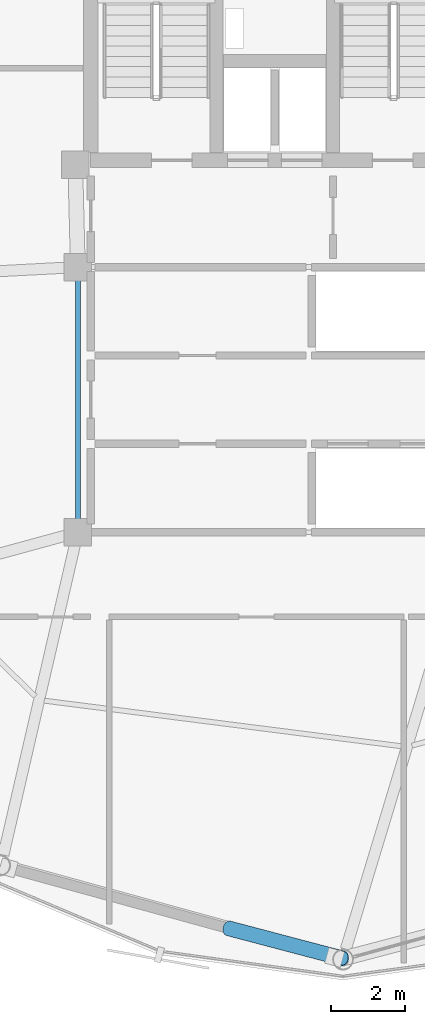
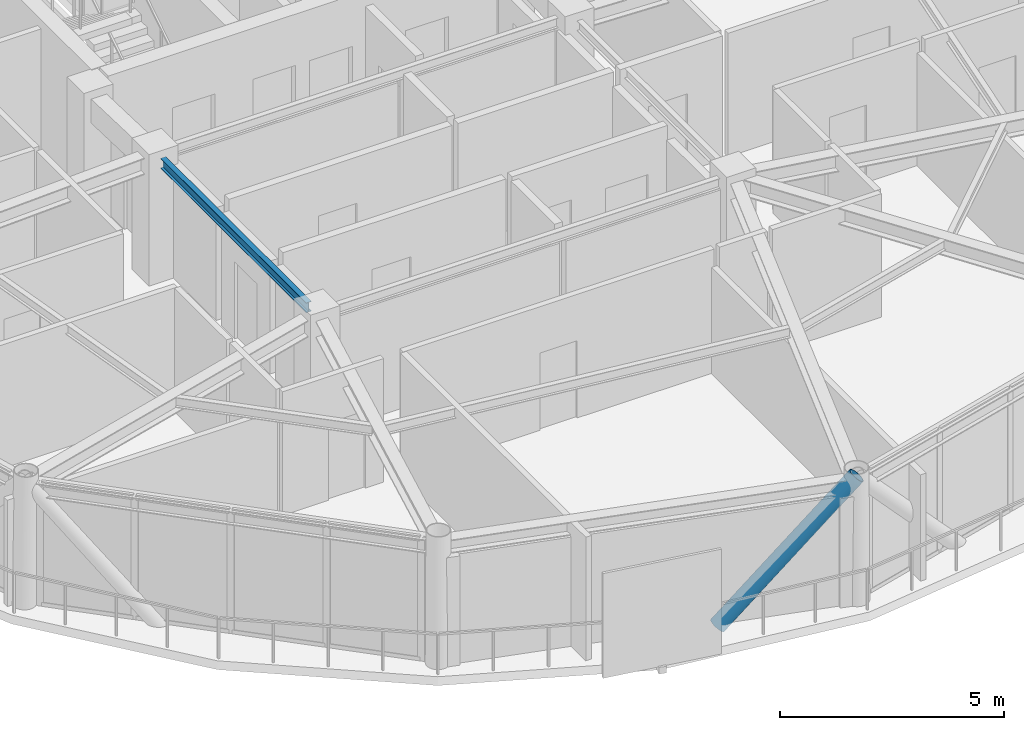
# One storey, part 6 of 27: 1 beam, 1 member.
"""IFC4 building model written with IfcOpenShell, lengths in metres."""

from ifc_helpers import new_model, si_unit, direction, frame, origin, origin_2d, place, context, subcontext, project, spatial, hollow_circle, i_section, extrude, material, material_profile, profile_set, type_object, element, save


model = new_model("IFC4")

# Units and contexts
model_context = context("Model", 3, precision=1e-05, world=origin(), true_north=direction((0.0, 1.0)))
body_context = subcontext(model_context, "Body", "Model", "MODEL_VIEW")
ifc_project = project(units=[si_unit("LENGTHUNIT", "METRE"), si_unit("AREAUNIT", "SQUARE_METRE"), si_unit("VOLUMEUNIT", "CUBIC_METRE"), si_unit("PLANEANGLEUNIT", "RADIAN"), si_unit("MASSUNIT", "GRAM", prefix="KILO")], contexts=[model_context])

# Site, building, storey
site_placement = place(None, origin())
site = spatial("IfcSite", under=ifc_project, at=site_placement, CompositionType="ELEMENT")
building_placement = place(site_placement, origin())
building = spatial("IfcBuilding", under=site, at=building_placement, Name="Varnakorn Sky Granary", CompositionType="ELEMENT")
storey_placement = place(building_placement, frame((0.0, 0.0, 232.800048828125)))
storey = spatial("IfcBuildingStorey", under=building, at=storey_placement, Name="L59", CompositionType="ELEMENT", Elevation=232.800048828125)

# Beam
ifc_material_1 = material(Name="Steel S355JR", Category="steel")
ifc_material_profile_1 = material_profile(ifc_material_1, i_section(OverallWidth=0.135009765625, OverallDepth=0.27001953125, WebThickness=0.006591796875, FlangeThickness=0.01025390625, at=origin_2d()), Name="IPE 270")
ifc_profile_set_1 = profile_set([ifc_material_profile_1], Name="Steel S355JR")
beam_type = type_object("IfcBeamType", Name="BM-SEC-Z5", PredefinedType="BEAM", material=ifc_profile_set_1)
beam_placement = place(storey_placement, frame((-2.35009765625, 0.2451171875, 3.224853515625), z_axis=(0.0, -1.0, 0.0), x_axis=(1.0, 0.0, 0.0)))
element("IfcBeam", 1, at=beam_placement, inside=storey, type_object=beam_type, Name="Core Spine Framing Beam 3 L59", PredefinedType="BEAM", context=body_context, shape_type="SweptSolid", body=[
    extrude(i_section(OverallWidth=0.135009765625, OverallDepth=0.27001953125, WebThickness=0.006591796875, FlangeThickness=0.01025390625, at=origin_2d()), origin(), (0.0, 0.0, 1.0), 6.490234375),
])

# Member
ifc_material_2 = material(Name="Steel S460M", Category="steel")
ifc_material_profile_2 = material_profile(ifc_material_2, hollow_circle(Radius=0.203125, WallThickness=0.01611328125, at=origin_2d()), Name="CHS 406.4x16")
ifc_profile_set_2 = profile_set([ifc_material_profile_2], Name="Steel S460M")
member_type = type_object("IfcMemberType", Name="MB-DIAG-T4", PredefinedType="BRACE", material=ifc_profile_set_2)
member_placement = place(storey_placement, frame((1.744873046875, -17.35595703125, -0.130126953125), z_axis=(0.654758670223, -0.172505409538, 0.735889235855), x_axis=(0.254770220277, 0.967001620919, 0.0)))
element("IfcMember", 2, at=member_placement, inside=storey, type_object=member_type, Name="Perimeter CHS Diagrid Brace DG09 L59", PredefinedType="BRACE", context=body_context, shape_type="SweptSolid", body=[
    extrude(hollow_circle(Radius=0.203125, WallThickness=0.01611328125, at=origin_2d()), origin(), (0.0, 0.0, 1.0), 4.742431640625),
])

save(model, "model.ifc")
